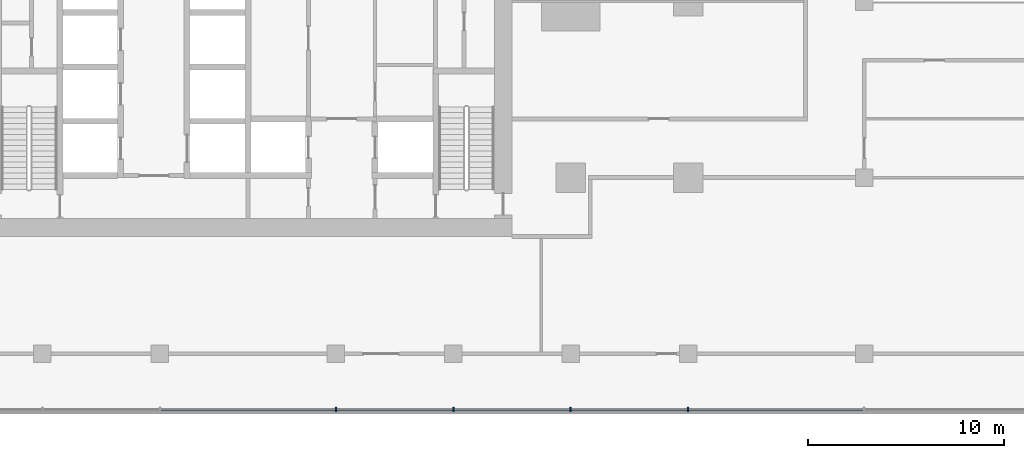
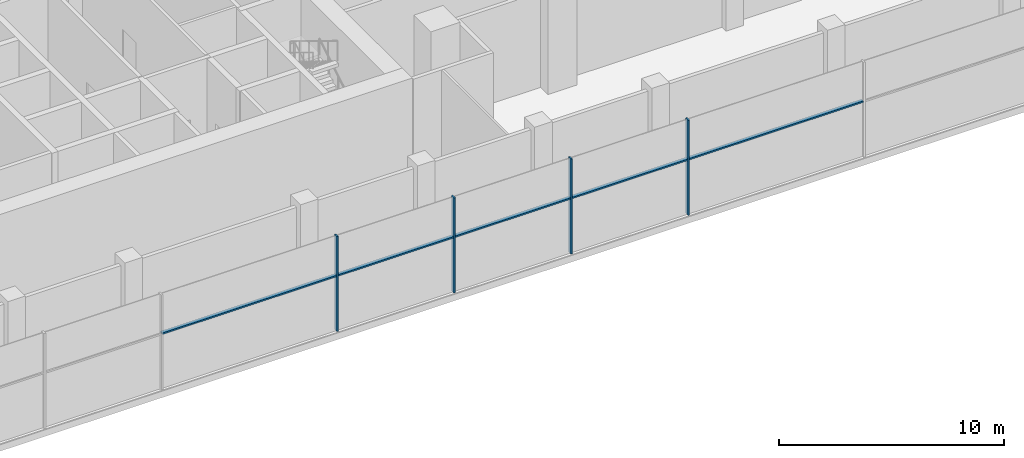
# One storey, part 3 of 22: 9 members, 1 element without a shape of its own.
"""IFC4 building model written with IfcOpenShell, lengths in metres."""

from ifc_helpers import new_model, si_unit, direction, frame, origin, origin_2d, place, context, subcontext, project, spatial, rectangle, extrude, material, material_profile, profile_set, type_object, element, aggregate, save


model = new_model("IFC4")

# Units and contexts
model_context = context("Model", 3, precision=1e-05, world=origin(), true_north=direction((0.0, 1.0)))
body_context = subcontext(model_context, "Body", "Model", "MODEL_VIEW")
ifc_project = project(units=[si_unit("LENGTHUNIT", "METRE"), si_unit("AREAUNIT", "SQUARE_METRE"), si_unit("VOLUMEUNIT", "CUBIC_METRE"), si_unit("PLANEANGLEUNIT", "RADIAN"), si_unit("MASSUNIT", "GRAM", prefix="KILO")], contexts=[model_context])

# Site, building, storey
site_placement = place(None, origin())
site = spatial("IfcSite", under=ifc_project, at=site_placement, CompositionType="ELEMENT")
building_placement = place(site_placement, origin())
building = spatial("IfcBuilding", under=site, at=building_placement, Name="Finial Court Residences", CompositionType="ELEMENT")
storey_placement = place(building_placement, frame((0.0, 0.0, 8.0)))
storey = spatial("IfcBuildingStorey", under=building, at=storey_placement, Name="L01", CompositionType="ELEMENT", Elevation=8.0)

# Curtain wall, members
ifc_material = material(Name="Bronze anodised aluminium", Category="aluminium")
curtain_wall_type = type_object("IfcCurtainWallType", Name="Podium curtain wall", PredefinedType="NOTDEFINED", material=ifc_material)
curtain_wall_placement = place(storey_placement, origin())
curtain_wall = element("IfcCurtainWall", 1, at=curtain_wall_placement, inside=storey, type_object=curtain_wall_type, Name="E-L01-CW-S3", PredefinedType="NOTDEFINED")
ifc_material_profile_1 = material_profile(ifc_material, rectangle(XDim=0.22509765625, YDim=0.080078125, at=origin_2d()), Name="CW5 mullion 80 x 225")
ifc_profile_set_1 = profile_set([ifc_material_profile_1], Name="Bronze anodised aluminium")
member_type_1 = type_object("IfcMemberType", Name="CW5 mullion 80 x 225", PredefinedType="MULLION", material=ifc_profile_set_1)
member_1_placement = place(storey_placement, frame((4.5, -34.35009765625, 0.0), z_axis=(0.0, 0.0, 1.0), x_axis=(0.0, 1.0, 0.0)))
member_1 = element("IfcMember", 2, at=member_1_placement, type_object=member_type_1, Name="CW5 mullion 7", PredefinedType="MULLION", context=body_context, shape_type="SweptSolid", body=[
    extrude(rectangle(XDim=0.22509765625, YDim=0.080078125, at=origin_2d()), origin(), (0.0, 0.0, 1.0), 5.14990234375),
])
member_2_placement = place(storey_placement, frame((10.5, -34.35009765625, 0.0), z_axis=(0.0, 0.0, 1.0), x_axis=(0.0, 1.0, 0.0)))
member_2 = element("IfcMember", 3, at=member_2_placement, type_object=member_type_1, Name="CW5 mullion 8", PredefinedType="MULLION", context=body_context, shape_type="SweptSolid", body=[
    extrude(rectangle(XDim=0.22509765625, YDim=0.080078125, at=origin_2d()), origin(), (0.0, 0.0, 1.0), 5.14990234375),
])
member_3_placement = place(storey_placement, frame((16.5, -34.35009765625, 0.0), z_axis=(0.0, 0.0, 1.0), x_axis=(0.0, 1.0, 0.0)))
member_3 = element("IfcMember", 4, at=member_3_placement, type_object=member_type_1, Name="CW5 mullion 9", PredefinedType="MULLION", context=body_context, shape_type="SweptSolid", body=[
    extrude(rectangle(XDim=0.22509765625, YDim=0.080078125, at=origin_2d()), origin(), (0.0, 0.0, 1.0), 5.14990234375),
])
member_4_placement = place(storey_placement, frame((22.5, -34.35009765625, 0.0), z_axis=(0.0, 0.0, 1.0), x_axis=(0.0, 1.0, 0.0)))
member_4 = element("IfcMember", 5, at=member_4_placement, type_object=member_type_1, Name="CW5 mullion 10", PredefinedType="MULLION", context=body_context, shape_type="SweptSolid", body=[
    extrude(rectangle(XDim=0.22509765625, YDim=0.080078125, at=origin_2d()), origin(), (0.0, 0.0, 1.0), 5.14990234375),
])
ifc_material_profile_2 = material_profile(ifc_material, rectangle(XDim=0.175048828125, YDim=0.080078125, at=origin_2d()), Name="CW5 transom 80 x 175")
ifc_profile_set_2 = profile_set([ifc_material_profile_2], Name="Bronze anodised aluminium")
member_type_2 = type_object("IfcMemberType", Name="CW5 transom 80 x 175", PredefinedType="USERDEFINED", material=ifc_profile_set_2)
member_5_placement = place(storey_placement, frame((-4.4599609375, -34.35009765625, 3.0), z_axis=(1.0, 0.0, 0.0), x_axis=(0.0, 1.0, 0.0)))
member_5 = element("IfcMember", 6, at=member_5_placement, type_object=member_type_2, Name="CW5 transom 6.1", ObjectType="TRANSOM", PredefinedType="USERDEFINED", context=body_context, shape_type="SweptSolid", body=[
    extrude(rectangle(XDim=0.175048828125, YDim=0.080078125, at=origin_2d()), origin(), (0.0, 0.0, 1.0), 8.919921875),
])
member_6_placement = place(storey_placement, frame((4.5400390625, -34.35009765625, 3.0), z_axis=(1.0, 0.0, 0.0), x_axis=(0.0, 1.0, 0.0)))
member_6 = element("IfcMember", 7, at=member_6_placement, type_object=member_type_2, Name="CW5 transom 7.1", ObjectType="TRANSOM", PredefinedType="USERDEFINED", context=body_context, shape_type="SweptSolid", body=[
    extrude(rectangle(XDim=0.175048828125, YDim=0.080078125, at=origin_2d()), origin(), (0.0, 0.0, 1.0), 5.919921875),
])
member_7_placement = place(storey_placement, frame((10.5400390625, -34.35009765625, 3.0), z_axis=(1.0, 0.0, 0.0), x_axis=(0.0, 1.0, 0.0)))
member_7 = element("IfcMember", 8, at=member_7_placement, type_object=member_type_2, Name="CW5 transom 8.1", ObjectType="TRANSOM", PredefinedType="USERDEFINED", context=body_context, shape_type="SweptSolid", body=[
    extrude(rectangle(XDim=0.175048828125, YDim=0.080078125, at=origin_2d()), origin(), (0.0, 0.0, 1.0), 5.919921875),
])
member_8_placement = place(storey_placement, frame((16.5400390625, -34.35009765625, 3.0), z_axis=(1.0, 0.0, 0.0), x_axis=(0.0, 1.0, 0.0)))
member_8 = element("IfcMember", 9, at=member_8_placement, type_object=member_type_2, Name="CW5 transom 9.1", ObjectType="TRANSOM", PredefinedType="USERDEFINED", context=body_context, shape_type="SweptSolid", body=[
    extrude(rectangle(XDim=0.175048828125, YDim=0.080078125, at=origin_2d()), origin(), (0.0, 0.0, 1.0), 5.919921875),
])
member_9_placement = place(storey_placement, frame((22.5400390625, -34.35009765625, 3.0), z_axis=(1.0, 0.0, 0.0), x_axis=(0.0, 1.0, 0.0)))
member_9 = element("IfcMember", 10, at=member_9_placement, type_object=member_type_2, Name="CW5 transom 10.1", ObjectType="TRANSOM", PredefinedType="USERDEFINED", context=body_context, shape_type="SweptSolid", body=[
    extrude(rectangle(XDim=0.175048828125, YDim=0.080078125, at=origin_2d()), origin(), (0.0, 0.0, 1.0), 8.919921875),
])
aggregate(curtain_wall, [member_1, member_2, member_3, member_4, member_5, member_6, member_7, member_8, member_9])

save(model, "model.ifc")
